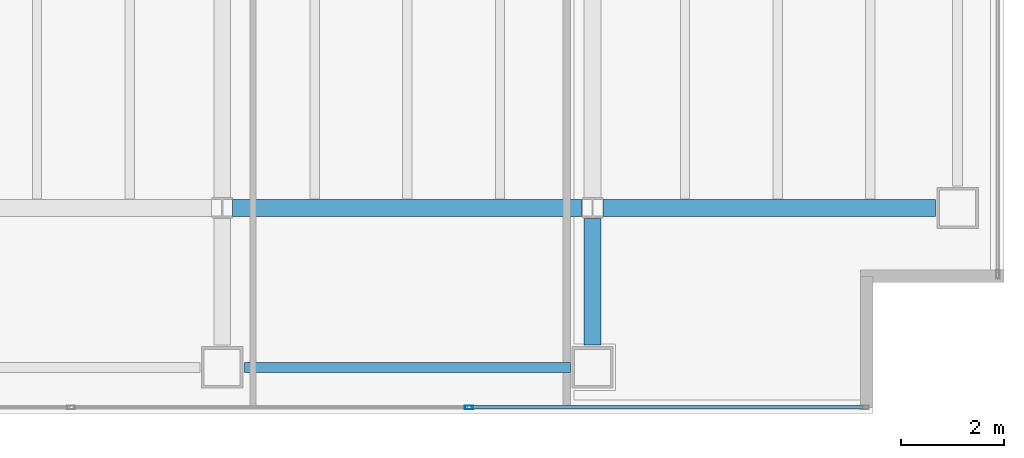
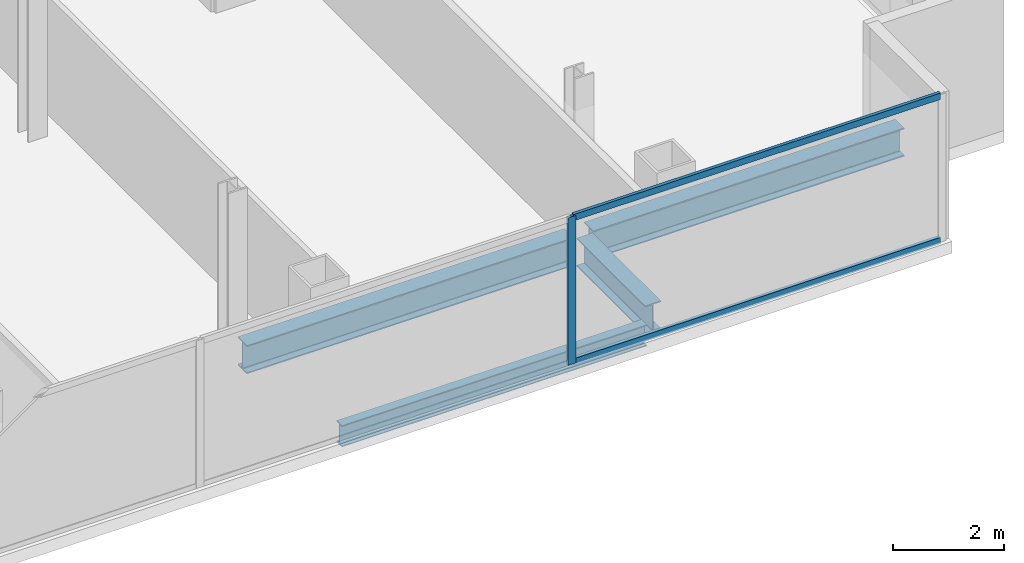
# One storey, part 10 of 23: 4 beams, 3 members, 1 element without a shape of its own.
"""IFC4 building model written with IfcOpenShell, lengths in metres."""

from ifc_helpers import new_model, si_unit, direction, frame, origin, origin_2d, place, context, subcontext, project, spatial, hollow_rectangle, i_section, extrude, material, material_profile, profile_set, type_object, element, aggregate, save


model = new_model("IFC4")

# Units and contexts
model_context = context("Model", 3, precision=1e-05, world=origin(), true_north=direction((0.0, 1.0)))
body_context = subcontext(model_context, "Body", "Model", "MODEL_VIEW")
ifc_project = project(units=[si_unit("LENGTHUNIT", "METRE"), si_unit("AREAUNIT", "SQUARE_METRE"), si_unit("VOLUMEUNIT", "CUBIC_METRE"), si_unit("PLANEANGLEUNIT", "RADIAN"), si_unit("MASSUNIT", "GRAM", prefix="KILO")], contexts=[model_context])

# Site, building, storey
site_placement = place(None, origin())
site = spatial("IfcSite", under=ifc_project, at=site_placement, CompositionType="ELEMENT")
building_placement = place(site_placement, origin())
building = spatial("IfcBuilding", under=site, at=building_placement, Name="Cobrela Telecom Tower", CompositionType="ELEMENT")
storey_placement = place(building_placement, frame((0.0, 0.0, 187.25)))
storey = spatial("IfcBuildingStorey", under=building, at=storey_placement, Name="L47", CompositionType="ELEMENT", Elevation=187.25)

# Beams
ifc_material_1 = material(Name="Steel ASTM A992 Grade 50", Category="steel")
ifc_material_profile_1 = material_profile(ifc_material_1, i_section(OverallWidth=0.327880859375, OverallDepth=0.6220703125, WebThickness=0.015380859375, FlangeThickness=0.0244140625, FilletRadius=0.014892578125, at=origin_2d()), Name="W24X131")
ifc_profile_set_1 = profile_set([ifc_material_profile_1], Name="Steel ASTM A992 Grade 50")
beam_type_1 = type_object("IfcBeamType", Name="BM-GIRD-06", PredefinedType="USERDEFINED", material=ifc_profile_set_1)
beam_1_placement = place(storey_placement, frame((29.00439453125, 7.199951171875, -0.571044921875), z_axis=(1.0, 0.0, 0.0), x_axis=(0.0, 1.0, 0.0)))
element("IfcBeam", 1, at=beam_1_placement, inside=storey, type_object=beam_type_1, Name="L47 Primary Girder X09", ObjectType="GIRDER", PredefinedType="USERDEFINED", context=body_context, shape_type="SweptSolid", body=[
    extrude(i_section(OverallWidth=0.327880859375, OverallDepth=0.6220703125, WebThickness=0.015380859375, FlangeThickness=0.0244140625, FilletRadius=0.014892578125, at=origin_2d()), origin(), (0.0, 0.0, 1.0), 6.791015625),
])
beam_2_placement = place(storey_placement, frame((36.20458984375, 7.199951171875, -0.571044921875), z_axis=(1.0, 0.0, 0.0), x_axis=(0.0, 1.0, 0.0)))
element("IfcBeam", 2, at=beam_2_placement, inside=storey, type_object=beam_type_1, Name="L47 Primary Girder X10", ObjectType="GIRDER", PredefinedType="USERDEFINED", context=body_context, shape_type="SweptSolid", body=[
    extrude(i_section(OverallWidth=0.327880859375, OverallDepth=0.6220703125, WebThickness=0.015380859375, FlangeThickness=0.0244140625, FilletRadius=0.014892578125, at=origin_2d()), origin(), (0.0, 0.0, 1.0), 6.46533203125),
])
beam_3_placement = place(storey_placement, frame((36.0, 4.530029296875, -0.571044921875), z_axis=(0.0, 1.0, 0.0), x_axis=(-1.0, 0.0, 0.0)))
element("IfcBeam", 3, at=beam_3_placement, inside=storey, type_object=beam_type_1, Name="L47 Primary Girder Y39", ObjectType="GIRDER", PredefinedType="USERDEFINED", context=body_context, shape_type="SweptSolid", body=[
    extrude(i_section(OverallWidth=0.327880859375, OverallDepth=0.6220703125, WebThickness=0.015380859375, FlangeThickness=0.0244140625, FilletRadius=0.014892578125, at=origin_2d()), origin(), (0.0, 0.0, 1.0), 2.465576171875),
])
ifc_material_profile_2 = material_profile(ifc_material_1, i_section(OverallWidth=0.193115234375, OverallDepth=0.467041015625, WebThickness=0.011474609375, FlangeThickness=0.01904296875, FilletRadius=0.012939453125, at=origin_2d()), Name="W18X65")
ifc_profile_set_2 = profile_set([ifc_material_profile_2], Name="Steel ASTM A992 Grade 50")
beam_type_2 = type_object("IfcBeamType", Name="BM-SPAND-05", PredefinedType="SPANDREL", material=ifc_profile_set_2)
beam_4_placement = place(storey_placement, frame((29.22998046875, 4.10009765625, -0.493408203125), z_axis=(1.0, 0.0, 0.0), x_axis=(0.0, 1.0, 0.0)))
element("IfcBeam", 4, at=beam_4_placement, inside=storey, type_object=beam_type_2, Name="L47 Perimeter Spandrel X04", PredefinedType="SPANDREL", context=body_context, shape_type="SweptSolid", body=[
    extrude(i_section(OverallWidth=0.193115234375, OverallDepth=0.467041015625, WebThickness=0.011474609375, FlangeThickness=0.01904296875, FilletRadius=0.012939453125, at=origin_2d()), origin(), (0.0, 0.0, 1.0), 6.340087890625),
])

# Curtain wall, members
ifc_material_2 = material(Name="Anodized Bronze Aluminium 6063-T6", Category="aluminium")
curtain_wall_type = type_object("IfcCurtainWallType", Name="CW-SYS-OFF-LO", PredefinedType="USERDEFINED", material=ifc_material_2)
curtain_wall_placement = place(storey_placement, origin())
curtain_wall = element("IfcCurtainWall", 5, at=curtain_wall_placement, inside=storey, type_object=curtain_wall_type, Name="L47 Unitised Bronze Curtain Wall 17", ObjectType="UNITISED CURTAIN WALL", PredefinedType="USERDEFINED")
ifc_material_profile_3 = material_profile(ifc_material_2, hollow_rectangle(XDim=0.070068359375, YDim=0.159912109375, WallThickness=0.00390625, at=origin_2d()), Name="ALU 70x160x4")
ifc_profile_set_3 = profile_set([ifc_material_profile_3], Name="Anodized Bronze Aluminium 6063-T6")
member_type_1 = type_object("IfcMemberType", Name="CW-SYS-OFF-LO-MUL", PredefinedType="MULLION", material=ifc_profile_set_3)
member_1_placement = place(storey_placement, frame((33.597900390625, 3.320068359375, 0.0), z_axis=(0.0, 0.0, 1.0), x_axis=(0.0, -1.0, 0.0)))
member_1 = element("IfcMember", 6, at=member_1_placement, type_object=member_type_1, Name="CW-OFF-LO mullion 2", PredefinedType="MULLION", context=body_context, shape_type="SweptSolid", body=[
    extrude(hollow_rectangle(XDim=0.070068359375, YDim=0.159912109375, WallThickness=0.00390625, at=origin_2d()), origin(), (0.0, 0.0, 1.0), 3.239990234375),
])
ifc_material_profile_4 = material_profile(ifc_material_2, hollow_rectangle(XDim=0.070068359375, YDim=0.139892578125, WallThickness=0.00390625, at=origin_2d()), Name="ALU 70x140x4")
ifc_profile_set_4 = profile_set([ifc_material_profile_4], Name="Anodized Bronze Aluminium 6063-T6")
member_type_2 = type_object("IfcMemberType", Name="CW-SYS-OFF-LO-TRN", PredefinedType="USERDEFINED", material=ifc_profile_set_4)
member_2_placement = place(storey_placement, frame((41.260009765625, 3.320068359375, 0.034912109375), z_axis=(-1.0, 0.0, 0.0), x_axis=(0.0, -1.0, 0.0)))
member_2 = element("IfcMember", 7, at=member_2_placement, type_object=member_type_2, Name="CW-OFF-LO transom 1.1", ObjectType="TRANSOM", PredefinedType="USERDEFINED", context=body_context, shape_type="SweptSolid", body=[
    extrude(hollow_rectangle(XDim=0.070068359375, YDim=0.139892578125, WallThickness=0.00390625, at=origin_2d()), origin(), (0.0, 0.0, 1.0), 7.626953125),
])
member_3_placement = place(storey_placement, frame((41.260009765625, 3.320068359375, 3.205078125), z_axis=(-1.0, 0.0, 0.0), x_axis=(0.0, -1.0, 0.0)))
member_3 = element("IfcMember", 8, at=member_3_placement, type_object=member_type_2, Name="CW-OFF-LO transom 1.2", ObjectType="TRANSOM", PredefinedType="USERDEFINED", context=body_context, shape_type="SweptSolid", body=[
    extrude(hollow_rectangle(XDim=0.070068359375, YDim=0.139892578125, WallThickness=0.00390625, at=origin_2d()), origin(), (0.0, 0.0, 1.0), 7.626953125),
])
aggregate(curtain_wall, [member_1, member_2, member_3])

save(model, "model.ifc")
